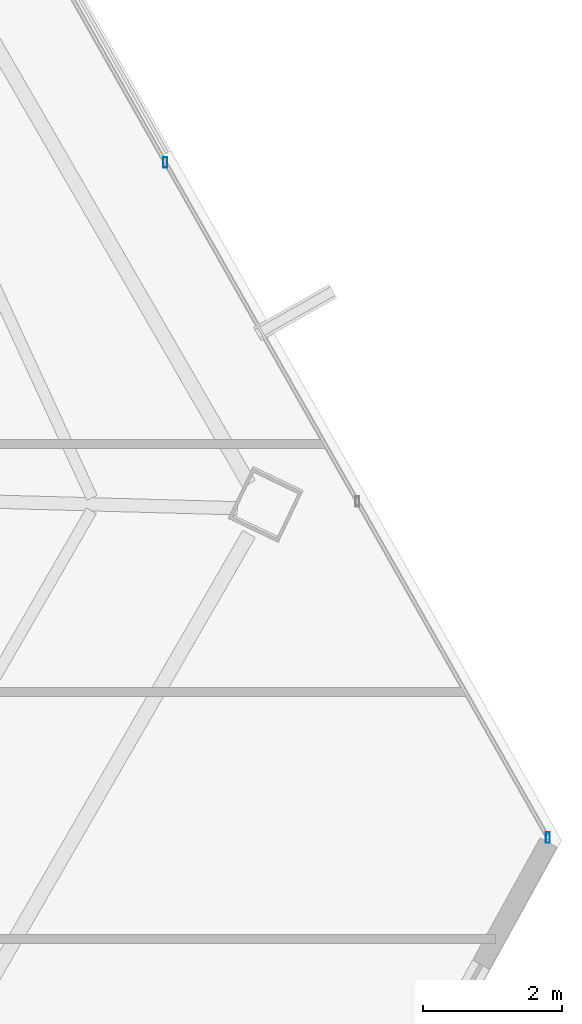
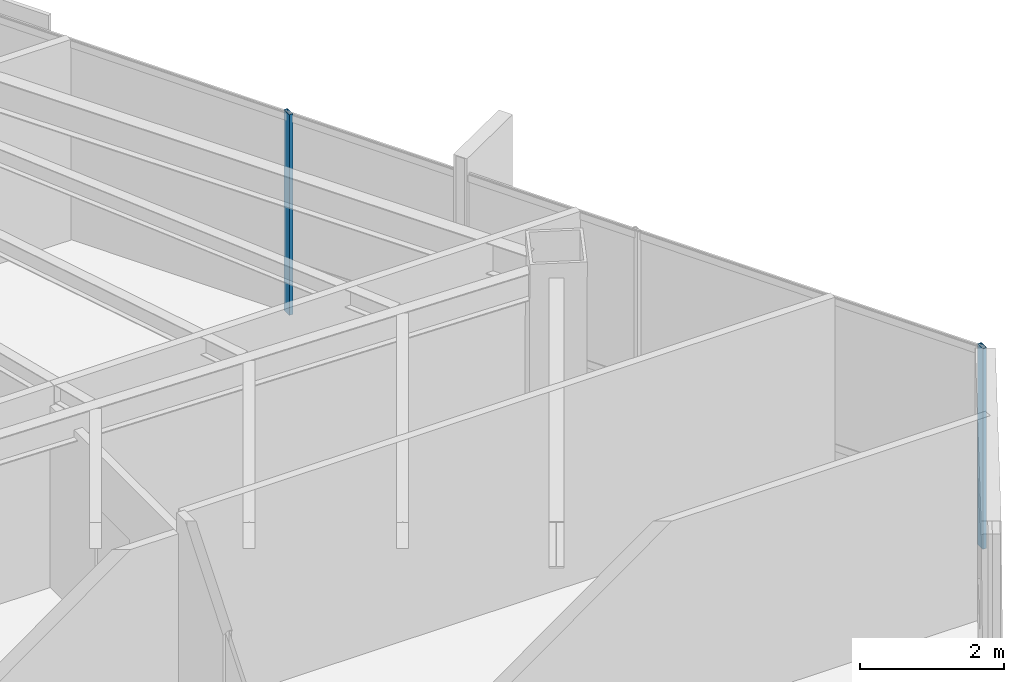
# One storey, part 24 of 42: 2 members, 1 element without a shape of its own.
"""IFC4 building model written with IfcOpenShell, lengths in metres."""

from ifc_helpers import new_model, si_unit, direction, frame, origin, origin_2d, place, context, subcontext, project, spatial, hollow_rectangle, extrude, source, transform, mapped, material, material_profile, profile_set, type_object, type_shapes, element, aggregate, save


model = new_model("IFC4")

# Units and contexts
model_context = context("Model", 3, precision=1e-05, world=origin(), true_north=direction((0.0, 1.0)))
body_context = subcontext(model_context, "Body", "Model", "MODEL_VIEW")
ifc_project = project(units=[si_unit("LENGTHUNIT", "METRE"), si_unit("AREAUNIT", "SQUARE_METRE"), si_unit("VOLUMEUNIT", "CUBIC_METRE"), si_unit("PLANEANGLEUNIT", "RADIAN"), si_unit("MASSUNIT", "GRAM", prefix="KILO")], contexts=[model_context])

# Site, building, storey
site_placement = place(None, origin())
site = spatial("IfcSite", under=ifc_project, at=site_placement, CompositionType="ELEMENT")
building_placement = place(site_placement, origin())
building = spatial("IfcBuilding", under=site, at=building_placement, Name="Caelisora Broadcast Tower", CompositionType="ELEMENT")
storey_placement = place(building_placement, frame((0.0, 0.0, 205.949951171875)))
storey = spatial("IfcBuildingStorey", under=building, at=storey_placement, Name="L54", CompositionType="ELEMENT", Elevation=205.949951171875)

# Curtain wall, members
ifc_material_1 = material(Name="Unitised Aluminium and Low-E Glass Curtain Wall", Category="glass")
curtain_wall_type = type_object("IfcCurtainWallType", Name="CW-Z4", PredefinedType="NOTDEFINED", material=ifc_material_1)
curtain_wall_placement = place(storey_placement, origin())
curtain_wall = element("IfcCurtainWall", 1, at=curtain_wall_placement, inside=storey, type_object=curtain_wall_type, Name="L54 curtain wall CW-Z4", PredefinedType="NOTDEFINED")
ifc_material_2 = material(Name="Aluminium 6063-T6 Anodised Terracotta Bronze", Category="aluminium")
ifc_material_profile = material_profile(ifc_material_2, hollow_rectangle(XDim=0.06005859375, YDim=0.14990234375, WallThickness=0.00341796875, at=origin_2d()), Name="Aluminium 6063-T6 Anodised Terracotta Bronze")
ifc_profile_set = profile_set([ifc_material_profile], Name="Aluminium 6063-T6 Anodised Terracotta Bronze")
member_type = type_object("IfcMemberType", Name="CWM-03", PredefinedType="MULLION", material=ifc_profile_set)
shared_shape = source(origin(), body_context, "Body", "SweptSolid", [
    extrude(hollow_rectangle(XDim=0.06005859375, YDim=0.14990234375, WallThickness=0.00341796875, at=origin_2d()), origin(), (0.0, 0.0, 1.0), 3.400146484375),
])
type_shapes(member_type, [shared_shape])
member_1_placement = place(storey_placement, frame((58.6337890625, 21.9931640625, 0.0), z_axis=(0.0, 0.0, 1.0), x_axis=(1.0, 0.0, 0.0)))
member_1 = element("IfcMember", 2, at=member_1_placement, type_object=member_type, Name="L54-CW-B03 mullion #1", PredefinedType="MULLION", context=body_context, shape_type="MappedRepresentation", body=[
    mapped(shared_shape, transform((0.0, 0.0, 0.0), scale=1.0)),
])
member_2_placement = place(storey_placement, frame((64.142333984375, 12.271484375, 0.0), z_axis=(0.0, 0.0, 1.0), x_axis=(1.0, 0.0, 0.0)))
member_2 = element("IfcMember", 3, at=member_2_placement, type_object=member_type, Name="L54-CW-B03 mullion #3", PredefinedType="MULLION", context=body_context, shape_type="MappedRepresentation", body=[
    mapped(shared_shape, transform((0.0, 0.0, 0.0), scale=1.0)),
])
aggregate(curtain_wall, [member_1, member_2])

save(model, "model.ifc")
